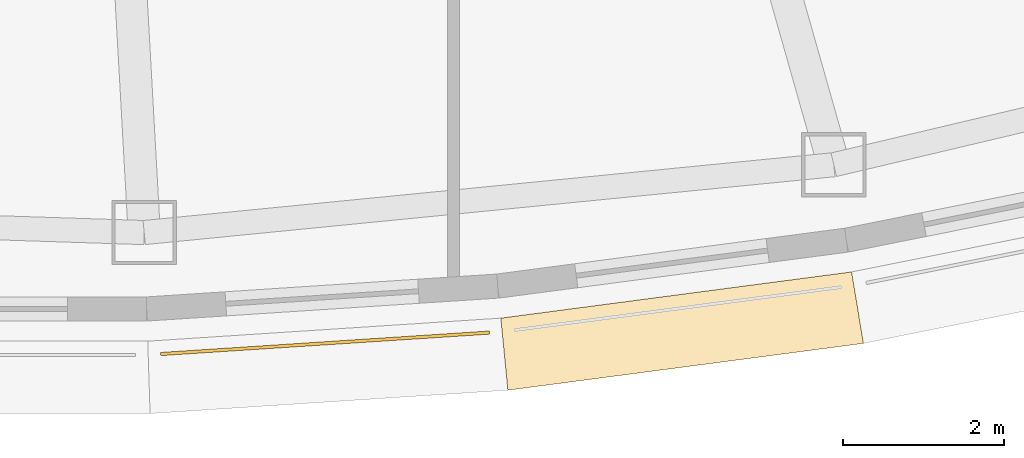
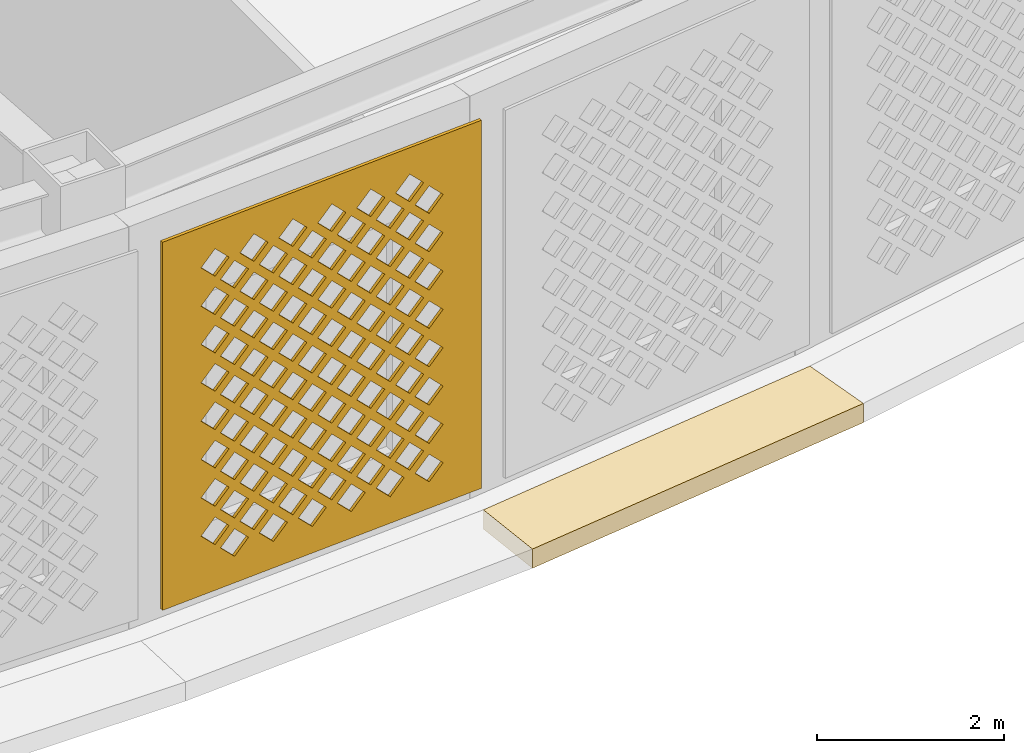
# One storey, part 53 of 69: 2 coverings.
"""IFC4 building model written with IfcOpenShell, lengths in metres."""

from ifc_helpers import new_model, si_unit, direction, frame, origin, place, context, subcontext, project, spatial, polyline, outline, extrude, material, layer, layer_set, type_object, element, save


model = new_model("IFC4")

# Units and contexts
model_context = context("Model", 3, precision=1e-05, world=origin(), true_north=direction((0.0, 1.0)))
body_context = subcontext(model_context, "Body", "Model", "MODEL_VIEW")
ifc_project = project(units=[si_unit("LENGTHUNIT", "METRE"), si_unit("AREAUNIT", "SQUARE_METRE"), si_unit("VOLUMEUNIT", "CUBIC_METRE"), si_unit("PLANEANGLEUNIT", "RADIAN"), si_unit("MASSUNIT", "GRAM", prefix="KILO")], contexts=[model_context])

# Site, building, storey
site_placement = place(None, origin())
site = spatial("IfcSite", under=ifc_project, at=site_placement, CompositionType="ELEMENT")
building_placement = place(site_placement, origin())
building = spatial("IfcBuilding", under=site, at=building_placement, Name="Noorbagh Ring Tower", CompositionType="ELEMENT")
storey_placement = place(building_placement, frame((0.0, 0.0, 19.5)))
storey = spatial("IfcBuildingStorey", under=building, at=storey_placement, Name="L03", CompositionType="ELEMENT", Elevation=19.5)

# Coverings
ifc_material_1 = material(Name="Red sandstone eave", Category="masonry")
covering_type_1 = type_object("IfcCoveringType", Name="STY-CHHAJJA", PredefinedType="USERDEFINED", material=ifc_material_1)
covering_1_placement = place(storey_placement, frame((0.0, 0.0, -0.25)))
element("IfcCovering", 1, at=covering_1_placement, inside=storey, type_object=covering_type_1, Name="Chhajja eave", ObjectType="CHHAJJA", PredefinedType="USERDEFINED", context=body_context, shape_type="SweptSolid", body=[
    extrude(outline(polyline([(6.586181640625, -39.677978515625), (10.945556640625, -39.103759765625), (11.093017578125, -39.9921875), (6.67431640625, -40.573974609375), (6.586181640625, -39.677978515625)])), origin(), (0.0, 0.0, 1.0), 0.25),
])
ifc_material_2 = material(Name="Red sandstone jali", Category="masonry")
ifc_layer = layer(ifc_material_2, 0.0400390625)
ifc_layer_set = layer_set([ifc_layer], Name="Red sandstone jali")
covering_type_2 = type_object("IfcCoveringType", Name="STY-JALI", PredefinedType="USERDEFINED", material=ifc_layer_set)
covering_2_placement = place(storey_placement, frame((2.360595703125, -40.14404296875, 0.449951171875), z_axis=(0.065130734288, -0.997876739608, 0.0), x_axis=(0.997876739608, 0.065130734288, 0.0)))
element("IfcCovering", 2, at=covering_2_placement, inside=storey, type_object=covering_type_2, Name="Jali screen", ObjectType="SCREEN", PredefinedType="USERDEFINED", context=body_context, shape_type="SweptSolid", body=[
    extrude(outline(polyline([(0.0, 0.0), (4.09716796875, 0.0), (4.09716796875, 4.800048828125), (0.0, 4.800048828125), (0.0, 0.0)]), holes=[polyline([(0.743408203125, 0.52490234375), (0.923583984375, 0.344970703125), (1.103515625, 0.52490234375), (0.923583984375, 0.705078125), (0.743408203125, 0.52490234375)]), polyline([(1.243408203125, 0.52490234375), (1.423583984375, 0.344970703125), (1.603515625, 0.52490234375), (1.423583984375, 0.705078125), (1.243408203125, 0.52490234375)]), polyline([(1.743408203125, 0.52490234375), (1.923583984375, 0.344970703125), (2.103515625, 0.52490234375), (1.923583984375, 0.705078125), (1.743408203125, 0.52490234375)]), polyline([(2.243408203125, 0.52490234375), (2.423583984375, 0.344970703125), (2.603515625, 0.52490234375), (2.423583984375, 0.705078125), (2.243408203125, 0.52490234375)]), polyline([(2.743408203125, 0.52490234375), (2.923583984375, 0.344970703125), (3.103515625, 0.52490234375), (2.923583984375, 0.705078125), (2.743408203125, 0.52490234375)]), polyline([(3.243408203125, 0.52490234375), (3.423583984375, 0.344970703125), (3.603515625, 0.52490234375), (3.423583984375, 0.705078125), (3.243408203125, 0.52490234375)]), polyline([(0.493408203125, 0.77490234375), (0.673583984375, 0.594970703125), (0.853515625, 0.77490234375), (0.673583984375, 0.955078125), (0.493408203125, 0.77490234375)]), polyline([(0.993408203125, 0.77490234375), (1.173583984375, 0.594970703125), (1.353515625, 0.77490234375), (1.173583984375, 0.955078125), (0.993408203125, 0.77490234375)]), polyline([(1.493408203125, 0.77490234375), (1.673583984375, 0.594970703125), (1.853515625, 0.77490234375), (1.673583984375, 0.955078125), (1.493408203125, 0.77490234375)]), polyline([(1.993408203125, 0.77490234375), (2.173583984375, 0.594970703125), (2.353515625, 0.77490234375), (2.173583984375, 0.955078125), (1.993408203125, 0.77490234375)]), polyline([(2.493408203125, 0.77490234375), (2.673583984375, 0.594970703125), (2.853515625, 0.77490234375), (2.673583984375, 0.955078125), (2.493408203125, 0.77490234375)]), polyline([(2.993408203125, 0.77490234375), (3.173583984375, 0.594970703125), (3.353515625, 0.77490234375), (3.173583984375, 0.955078125), (2.993408203125, 0.77490234375)]), polyline([(0.743408203125, 1.02490234375), (0.923583984375, 0.844970703125), (1.103515625, 1.02490234375), (0.923583984375, 1.205078125), (0.743408203125, 1.02490234375)]), polyline([(1.243408203125, 1.02490234375), (1.423583984375, 0.844970703125), (1.603515625, 1.02490234375), (1.423583984375, 1.205078125), (1.243408203125, 1.02490234375)]), polyline([(1.743408203125, 1.02490234375), (1.923583984375, 0.844970703125), (2.103515625, 1.02490234375), (1.923583984375, 1.205078125), (1.743408203125, 1.02490234375)]), polyline([(2.243408203125, 1.02490234375), (2.423583984375, 0.844970703125), (2.603515625, 1.02490234375), (2.423583984375, 1.205078125), (2.243408203125, 1.02490234375)]), polyline([(2.743408203125, 1.02490234375), (2.923583984375, 0.844970703125), (3.103515625, 1.02490234375), (2.923583984375, 1.205078125), (2.743408203125, 1.02490234375)]), polyline([(3.243408203125, 1.02490234375), (3.423583984375, 0.844970703125), (3.603515625, 1.02490234375), (3.423583984375, 1.205078125), (3.243408203125, 1.02490234375)]), polyline([(0.493408203125, 1.27490234375), (0.673583984375, 1.094970703125), (0.853515625, 1.27490234375), (0.673583984375, 1.455078125), (0.493408203125, 1.27490234375)]), polyline([(0.993408203125, 1.27490234375), (1.173583984375, 1.094970703125), (1.353515625, 1.27490234375), (1.173583984375, 1.455078125), (0.993408203125, 1.27490234375)]), polyline([(1.493408203125, 1.27490234375), (1.673583984375, 1.094970703125), (1.853515625, 1.27490234375), (1.673583984375, 1.455078125), (1.493408203125, 1.27490234375)]), polyline([(1.993408203125, 1.27490234375), (2.173583984375, 1.094970703125), (2.353515625, 1.27490234375), (2.173583984375, 1.455078125), (1.993408203125, 1.27490234375)]), polyline([(2.493408203125, 1.27490234375), (2.673583984375, 1.094970703125), (2.853515625, 1.27490234375), (2.673583984375, 1.455078125), (2.493408203125, 1.27490234375)]), polyline([(2.993408203125, 1.27490234375), (3.173583984375, 1.094970703125), (3.353515625, 1.27490234375), (3.173583984375, 1.455078125), (2.993408203125, 1.27490234375)]), polyline([(0.743408203125, 1.52490234375), (0.923583984375, 1.344970703125), (1.103515625, 1.52490234375), (0.923583984375, 1.705078125), (0.743408203125, 1.52490234375)]), polyline([(1.243408203125, 1.52490234375), (1.423583984375, 1.344970703125), (1.603515625, 1.52490234375), (1.423583984375, 1.705078125), (1.243408203125, 1.52490234375)]), polyline([(1.743408203125, 1.52490234375), (1.923583984375, 1.344970703125), (2.103515625, 1.52490234375), (1.923583984375, 1.705078125), (1.743408203125, 1.52490234375)]), polyline([(2.243408203125, 1.52490234375), (2.423583984375, 1.344970703125), (2.603515625, 1.52490234375), (2.423583984375, 1.705078125), (2.243408203125, 1.52490234375)]), polyline([(2.743408203125, 1.52490234375), (2.923583984375, 1.344970703125), (3.103515625, 1.52490234375), (2.923583984375, 1.705078125), (2.743408203125, 1.52490234375)]), polyline([(3.243408203125, 1.52490234375), (3.423583984375, 1.344970703125), (3.603515625, 1.52490234375), (3.423583984375, 1.705078125), (3.243408203125, 1.52490234375)]), polyline([(0.493408203125, 1.77490234375), (0.673583984375, 1.594970703125), (0.853515625, 1.77490234375), (0.673583984375, 1.955078125), (0.493408203125, 1.77490234375)]), polyline([(0.993408203125, 1.77490234375), (1.173583984375, 1.594970703125), (1.353515625, 1.77490234375), (1.173583984375, 1.955078125), (0.993408203125, 1.77490234375)]), polyline([(1.493408203125, 1.77490234375), (1.673583984375, 1.594970703125), (1.853515625, 1.77490234375), (1.673583984375, 1.955078125), (1.493408203125, 1.77490234375)]), polyline([(1.993408203125, 1.77490234375), (2.173583984375, 1.594970703125), (2.353515625, 1.77490234375), (2.173583984375, 1.955078125), (1.993408203125, 1.77490234375)]), polyline([(2.493408203125, 1.77490234375), (2.673583984375, 1.594970703125), (2.853515625, 1.77490234375), (2.673583984375, 1.955078125), (2.493408203125, 1.77490234375)]), polyline([(2.993408203125, 1.77490234375), (3.173583984375, 1.594970703125), (3.353515625, 1.77490234375), (3.173583984375, 1.955078125), (2.993408203125, 1.77490234375)]), polyline([(0.743408203125, 2.02490234375), (0.923583984375, 1.844970703125), (1.103515625, 2.02490234375), (0.923583984375, 2.205078125), (0.743408203125, 2.02490234375)]), polyline([(1.243408203125, 2.02490234375), (1.423583984375, 1.844970703125), (1.603515625, 2.02490234375), (1.423583984375, 2.205078125), (1.243408203125, 2.02490234375)]), polyline([(1.743408203125, 2.02490234375), (1.923583984375, 1.844970703125), (2.103515625, 2.02490234375), (1.923583984375, 2.205078125), (1.743408203125, 2.02490234375)]), polyline([(2.243408203125, 2.02490234375), (2.423583984375, 1.844970703125), (2.603515625, 2.02490234375), (2.423583984375, 2.205078125), (2.243408203125, 2.02490234375)]), polyline([(2.743408203125, 2.02490234375), (2.923583984375, 1.844970703125), (3.103515625, 2.02490234375), (2.923583984375, 2.205078125), (2.743408203125, 2.02490234375)]), polyline([(3.243408203125, 2.02490234375), (3.423583984375, 1.844970703125), (3.603515625, 2.02490234375), (3.423583984375, 2.205078125), (3.243408203125, 2.02490234375)]), polyline([(0.493408203125, 2.27490234375), (0.673583984375, 2.094970703125), (0.853515625, 2.27490234375), (0.673583984375, 2.455078125), (0.493408203125, 2.27490234375)]), polyline([(0.993408203125, 2.27490234375), (1.173583984375, 2.094970703125), (1.353515625, 2.27490234375), (1.173583984375, 2.455078125), (0.993408203125, 2.27490234375)]), polyline([(1.493408203125, 2.27490234375), (1.673583984375, 2.094970703125), (1.853515625, 2.27490234375), (1.673583984375, 2.455078125), (1.493408203125, 2.27490234375)]), polyline([(1.993408203125, 2.27490234375), (2.173583984375, 2.094970703125), (2.353515625, 2.27490234375), (2.173583984375, 2.455078125), (1.993408203125, 2.27490234375)]), polyline([(2.493408203125, 2.27490234375), (2.673583984375, 2.094970703125), (2.853515625, 2.27490234375), (2.673583984375, 2.455078125), (2.493408203125, 2.27490234375)]), polyline([(2.993408203125, 2.27490234375), (3.173583984375, 2.094970703125), (3.353515625, 2.27490234375), (3.173583984375, 2.455078125), (2.993408203125, 2.27490234375)]), polyline([(0.743408203125, 2.52490234375), (0.923583984375, 2.344970703125), (1.103515625, 2.52490234375), (0.923583984375, 2.705078125), (0.743408203125, 2.52490234375)]), polyline([(1.243408203125, 2.52490234375), (1.423583984375, 2.344970703125), (1.603515625, 2.52490234375), (1.423583984375, 2.705078125), (1.243408203125, 2.52490234375)]), polyline([(1.743408203125, 2.52490234375), (1.923583984375, 2.344970703125), (2.103515625, 2.52490234375), (1.923583984375, 2.705078125), (1.743408203125, 2.52490234375)]), polyline([(2.243408203125, 2.52490234375), (2.423583984375, 2.344970703125), (2.603515625, 2.52490234375), (2.423583984375, 2.705078125), (2.243408203125, 2.52490234375)]), polyline([(2.743408203125, 2.52490234375), (2.923583984375, 2.344970703125), (3.103515625, 2.52490234375), (2.923583984375, 2.705078125), (2.743408203125, 2.52490234375)]), polyline([(3.243408203125, 2.52490234375), (3.423583984375, 2.344970703125), (3.603515625, 2.52490234375), (3.423583984375, 2.705078125), (3.243408203125, 2.52490234375)]), polyline([(0.493408203125, 2.77490234375), (0.673583984375, 2.594970703125), (0.853515625, 2.77490234375), (0.673583984375, 2.955078125), (0.493408203125, 2.77490234375)]), polyline([(0.993408203125, 2.77490234375), (1.173583984375, 2.594970703125), (1.353515625, 2.77490234375), (1.173583984375, 2.955078125), (0.993408203125, 2.77490234375)]), polyline([(1.493408203125, 2.77490234375), (1.673583984375, 2.594970703125), (1.853515625, 2.77490234375), (1.673583984375, 2.955078125), (1.493408203125, 2.77490234375)]), polyline([(1.993408203125, 2.77490234375), (2.173583984375, 2.594970703125), (2.353515625, 2.77490234375), (2.173583984375, 2.955078125), (1.993408203125, 2.77490234375)]), polyline([(2.493408203125, 2.77490234375), (2.673583984375, 2.594970703125), (2.853515625, 2.77490234375), (2.673583984375, 2.955078125), (2.493408203125, 2.77490234375)]), polyline([(2.993408203125, 2.77490234375), (3.173583984375, 2.594970703125), (3.353515625, 2.77490234375), (3.173583984375, 2.955078125), (2.993408203125, 2.77490234375)]), polyline([(0.743408203125, 3.02490234375), (0.923583984375, 2.844970703125), (1.103515625, 3.02490234375), (0.923583984375, 3.205078125), (0.743408203125, 3.02490234375)]), polyline([(1.243408203125, 3.02490234375), (1.423583984375, 2.844970703125), (1.603515625, 3.02490234375), (1.423583984375, 3.205078125), (1.243408203125, 3.02490234375)]), polyline([(1.743408203125, 3.02490234375), (1.923583984375, 2.844970703125), (2.103515625, 3.02490234375), (1.923583984375, 3.205078125), (1.743408203125, 3.02490234375)]), polyline([(2.243408203125, 3.02490234375), (2.423583984375, 2.844970703125), (2.603515625, 3.02490234375), (2.423583984375, 3.205078125), (2.243408203125, 3.02490234375)]), polyline([(2.743408203125, 3.02490234375), (2.923583984375, 2.844970703125), (3.103515625, 3.02490234375), (2.923583984375, 3.205078125), (2.743408203125, 3.02490234375)]), polyline([(3.243408203125, 3.02490234375), (3.423583984375, 2.844970703125), (3.603515625, 3.02490234375), (3.423583984375, 3.205078125), (3.243408203125, 3.02490234375)]), polyline([(0.493408203125, 3.27490234375), (0.673583984375, 3.094970703125), (0.853515625, 3.27490234375), (0.673583984375, 3.455078125), (0.493408203125, 3.27490234375)]), polyline([(0.993408203125, 3.27490234375), (1.173583984375, 3.094970703125), (1.353515625, 3.27490234375), (1.173583984375, 3.455078125), (0.993408203125, 3.27490234375)]), polyline([(1.493408203125, 3.27490234375), (1.673583984375, 3.094970703125), (1.853515625, 3.27490234375), (1.673583984375, 3.455078125), (1.493408203125, 3.27490234375)]), polyline([(1.993408203125, 3.27490234375), (2.173583984375, 3.094970703125), (2.353515625, 3.27490234375), (2.173583984375, 3.455078125), (1.993408203125, 3.27490234375)]), polyline([(2.493408203125, 3.27490234375), (2.673583984375, 3.094970703125), (2.853515625, 3.27490234375), (2.673583984375, 3.455078125), (2.493408203125, 3.27490234375)]), polyline([(2.993408203125, 3.27490234375), (3.173583984375, 3.094970703125), (3.353515625, 3.27490234375), (3.173583984375, 3.455078125), (2.993408203125, 3.27490234375)]), polyline([(0.743408203125, 3.52490234375), (0.923583984375, 3.344970703125), (1.103515625, 3.52490234375), (0.923583984375, 3.705078125), (0.743408203125, 3.52490234375)]), polyline([(1.243408203125, 3.52490234375), (1.423583984375, 3.344970703125), (1.603515625, 3.52490234375), (1.423583984375, 3.705078125), (1.243408203125, 3.52490234375)]), polyline([(1.743408203125, 3.52490234375), (1.923583984375, 3.344970703125), (2.103515625, 3.52490234375), (1.923583984375, 3.705078125), (1.743408203125, 3.52490234375)]), polyline([(2.243408203125, 3.52490234375), (2.423583984375, 3.344970703125), (2.603515625, 3.52490234375), (2.423583984375, 3.705078125), (2.243408203125, 3.52490234375)]), polyline([(2.743408203125, 3.52490234375), (2.923583984375, 3.344970703125), (3.103515625, 3.52490234375), (2.923583984375, 3.705078125), (2.743408203125, 3.52490234375)]), polyline([(3.243408203125, 3.52490234375), (3.423583984375, 3.344970703125), (3.603515625, 3.52490234375), (3.423583984375, 3.705078125), (3.243408203125, 3.52490234375)]), polyline([(0.493408203125, 3.77490234375), (0.673583984375, 3.594970703125), (0.853515625, 3.77490234375), (0.673583984375, 3.955078125), (0.493408203125, 3.77490234375)]), polyline([(0.993408203125, 3.77490234375), (1.173583984375, 3.594970703125), (1.353515625, 3.77490234375), (1.173583984375, 3.955078125), (0.993408203125, 3.77490234375)]), polyline([(1.493408203125, 3.77490234375), (1.673583984375, 3.594970703125), (1.853515625, 3.77490234375), (1.673583984375, 3.955078125), (1.493408203125, 3.77490234375)]), polyline([(1.993408203125, 3.77490234375), (2.173583984375, 3.594970703125), (2.353515625, 3.77490234375), (2.173583984375, 3.955078125), (1.993408203125, 3.77490234375)]), polyline([(2.493408203125, 3.77490234375), (2.673583984375, 3.594970703125), (2.853515625, 3.77490234375), (2.673583984375, 3.955078125), (2.493408203125, 3.77490234375)]), polyline([(2.993408203125, 3.77490234375), (3.173583984375, 3.594970703125), (3.353515625, 3.77490234375), (3.173583984375, 3.955078125), (2.993408203125, 3.77490234375)]), polyline([(0.743408203125, 4.02490234375), (0.923583984375, 3.844970703125), (1.103515625, 4.02490234375), (0.923583984375, 4.205078125), (0.743408203125, 4.02490234375)]), polyline([(1.243408203125, 4.02490234375), (1.423583984375, 3.844970703125), (1.603515625, 4.02490234375), (1.423583984375, 4.205078125), (1.243408203125, 4.02490234375)]), polyline([(1.743408203125, 4.02490234375), (1.923583984375, 3.844970703125), (2.103515625, 4.02490234375), (1.923583984375, 4.205078125), (1.743408203125, 4.02490234375)]), polyline([(2.243408203125, 4.02490234375), (2.423583984375, 3.844970703125), (2.603515625, 4.02490234375), (2.423583984375, 4.205078125), (2.243408203125, 4.02490234375)]), polyline([(2.743408203125, 4.02490234375), (2.923583984375, 3.844970703125), (3.103515625, 4.02490234375), (2.923583984375, 4.205078125), (2.743408203125, 4.02490234375)]), polyline([(3.243408203125, 4.02490234375), (3.423583984375, 3.844970703125), (3.603515625, 4.02490234375), (3.423583984375, 4.205078125), (3.243408203125, 4.02490234375)]), polyline([(0.493408203125, 4.27490234375), (0.673583984375, 4.094970703125), (0.853515625, 4.27490234375), (0.673583984375, 4.455078125), (0.493408203125, 4.27490234375)]), polyline([(0.993408203125, 4.27490234375), (1.173583984375, 4.094970703125), (1.353515625, 4.27490234375), (1.173583984375, 4.455078125), (0.993408203125, 4.27490234375)]), polyline([(1.493408203125, 4.27490234375), (1.673583984375, 4.094970703125), (1.853515625, 4.27490234375), (1.673583984375, 4.455078125), (1.493408203125, 4.27490234375)]), polyline([(1.993408203125, 4.27490234375), (2.173583984375, 4.094970703125), (2.353515625, 4.27490234375), (2.173583984375, 4.455078125), (1.993408203125, 4.27490234375)]), polyline([(2.493408203125, 4.27490234375), (2.673583984375, 4.094970703125), (2.853515625, 4.27490234375), (2.673583984375, 4.455078125), (2.493408203125, 4.27490234375)]), polyline([(2.993408203125, 4.27490234375), (3.173583984375, 4.094970703125), (3.353515625, 4.27490234375), (3.173583984375, 4.455078125), (2.993408203125, 4.27490234375)])]), origin(), (0.0, 0.0, -1.0), 0.0400390625),
])

save(model, "model.ifc")
